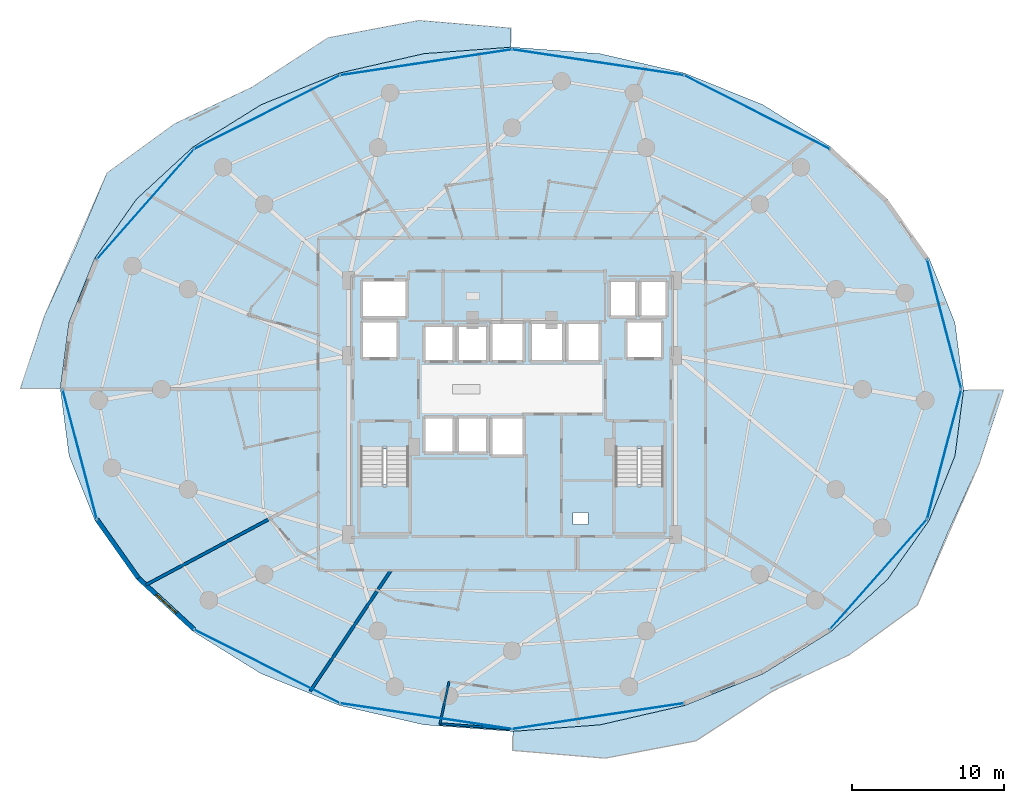
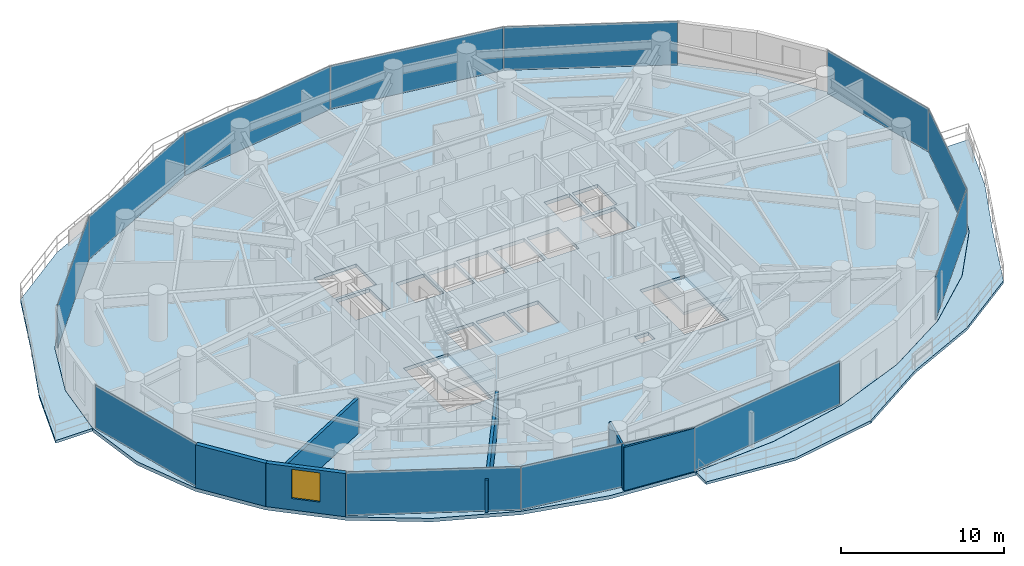
# One storey, part 25 of 34: 12 plates, 6 walls, 5 slabs, 1 window, 1 opening, 6 elements without a shape of their own.
"""IFC4 building model written with IfcOpenShell, lengths in metres."""

from ifc_helpers import new_model, si_unit, direction, frame, frame_2d, origin, origin_2d, place, context, subcontext, project, spatial, polyline, rectangle, outline, extrude, material, layer, layer_set, type_object, element, fill, aggregate, save


model = new_model("IFC4")

# Units and contexts
model_context = context("Model", 3, precision=1e-05, world=origin(), true_north=direction((0.0, 1.0)))
body_context = subcontext(model_context, "Body", "Model", "MODEL_VIEW")
ifc_project = project(units=[si_unit("LENGTHUNIT", "METRE"), si_unit("AREAUNIT", "SQUARE_METRE"), si_unit("VOLUMEUNIT", "CUBIC_METRE"), si_unit("PLANEANGLEUNIT", "RADIAN"), si_unit("MASSUNIT", "GRAM", prefix="KILO")], contexts=[model_context])

# Site, building, storey
site_placement = place(None, origin())
site = spatial("IfcSite", under=ifc_project, at=site_placement, CompositionType="ELEMENT")
building_placement = place(site_placement, origin())
building = spatial("IfcBuilding", under=site, at=building_placement, Name="Vorneva Point Tower", CompositionType="ELEMENT")
storey_placement = place(building_placement, frame((0.0, 0.0, 62.5)))
storey = spatial("IfcBuildingStorey", under=building, at=storey_placement, Name="L16", CompositionType="ELEMENT", Elevation=62.5)

# Curtain wall, plates
ifc_material_1 = material(Name="Pale anodised aluminium", Category="aluminium")
curtain_wall_type = type_object("IfcCurtainWallType", Name="CW-HTL-SYS", PredefinedType="NOTDEFINED", material=ifc_material_1)
curtain_wall_1_placement = place(storey_placement, origin())
curtain_wall_1 = element("IfcCurtainWall", 1, at=curtain_wall_1_placement, inside=storey, type_object=curtain_wall_type, Name="L16 Unitised Curtain Wall CW-L16-R01", PredefinedType="NOTDEFINED")
ifc_material_2 = material(Name="Double low-e laminated glass IGU", Category="glass")
ifc_layer_1 = layer(ifc_material_2, 0.035888671875)
ifc_layer_set_1 = layer_set([ifc_layer_1], Name="Double low-e laminated glass IGU")
plate_type = type_object("IfcPlateType", Name="CW-PNL-VIS", PredefinedType="CURTAIN_PANEL", material=ifc_layer_set_1)
plate_1_placement = place(storey_placement, frame((62.097900390625, 13.821533203125, -0.02001953125), z_axis=(0.0, 0.0, 1.0), x_axis=(0.662070857019, 0.749441245386, 0.0)))
plate_1 = element("IfcPlate", 2, at=plate_1_placement, type_object=plate_type, Name="CW-L16-R01 Glazed Panel 01", PredefinedType="CURTAIN_PANEL", context=body_context, shape_type="SweptSolid", body=[
    extrude(rectangle(XDim=9.625, YDim=0.035888671875, at=origin_2d()), origin(), (0.0, 0.0, 1.0), 3.280029296875),
])
plate_2_placement = place(storey_placement, frame((66.42529296875, 21.723388671875, -0.02001953125), z_axis=(0.0, 0.0, 1.0), x_axis=(0.254348767449, 0.967112560407, 0.0)))
plate_2 = element("IfcPlate", 3, at=plate_2_placement, type_object=plate_type, Name="CW-L16-R01 Glazed Panel 02", PredefinedType="CURTAIN_PANEL", context=body_context, shape_type="SweptSolid", body=[
    extrude(rectangle(XDim=8.793701171875, YDim=0.035888671875, at=origin_2d()), origin(), (0.0, 0.0, 1.0), 3.280029296875),
])
plate_3_placement = place(storey_placement, frame((66.42529296875, 30.276611328125, -0.02001953125), z_axis=(0.0, 0.0, 1.0), x_axis=(-0.254348767449, 0.967112560407, 0.0)))
plate_3 = element("IfcPlate", 4, at=plate_3_placement, type_object=plate_type, Name="CW-L16-R01 Glazed Panel 03", PredefinedType="CURTAIN_PANEL", context=body_context, shape_type="SweptSolid", body=[
    extrude(rectangle(XDim=8.793701171875, YDim=0.035888671875, at=origin_2d()), origin(), (0.0, 0.0, 1.0), 3.280029296875),
])
aggregate(curtain_wall_1, [plate_1, plate_2, plate_3])

curtain_wall_2_placement = place(storey_placement, origin())
curtain_wall_2 = element("IfcCurtainWall", 5, at=curtain_wall_2_placement, inside=storey, type_object=curtain_wall_type, Name="L16 Unitised Curtain Wall CW-L16-R02", PredefinedType="NOTDEFINED")
plate_4_placement = place(storey_placement, frame((54.101806640625, 44.226318359375, -0.02001953125), z_axis=(0.0, 0.0, 1.0), x_axis=(-0.892499239729, 0.451048896554, 0.0)))
plate_4 = element("IfcPlate", 6, at=plate_4_placement, type_object=plate_type, Name="CW-L16-R02 Glazed Panel 01", PredefinedType="CURTAIN_PANEL", context=body_context, shape_type="SweptSolid", body=[
    extrude(rectangle(XDim=10.69140625, YDim=0.035888671875, at=origin_2d()), origin(), (0.0, 0.0, 1.0), 3.280029296875),
])
plate_5_placement = place(storey_placement, frame((43.654296875, 47.499267578125, -0.02001953125), z_axis=(0.0, 0.0, 1.0), x_axis=(-0.988870924381, 0.148775989034, 0.0)))
plate_5 = element("IfcPlate", 7, at=plate_5_placement, type_object=plate_type, Name="CW-L16-R02 Glazed Panel 02", PredefinedType="CURTAIN_PANEL", context=body_context, shape_type="SweptSolid", body=[
    extrude(rectangle(XDim=11.385498046875, YDim=0.035888671875, at=origin_2d()), origin(), (0.0, 0.0, 1.0), 3.280029296875),
])
plate_6_placement = place(storey_placement, frame((32.345703125, 47.499267578125, -0.02001953125), z_axis=(0.0, 0.0, 1.0), x_axis=(-0.988870924381, -0.148775989034, 0.0)))
plate_6 = element("IfcPlate", 8, at=plate_6_placement, type_object=plate_type, Name="CW-L16-R02 Glazed Panel 03", PredefinedType="CURTAIN_PANEL", context=body_context, shape_type="SweptSolid", body=[
    extrude(rectangle(XDim=11.385498046875, YDim=0.035888671875, at=origin_2d()), origin(), (0.0, 0.0, 1.0), 3.280029296875),
])
plate_7_placement = place(storey_placement, frame((21.8984375, 44.226318359375, -0.02001953125), z_axis=(0.0, 0.0, 1.0), x_axis=(-0.892499239729, -0.451048896554, 0.0)))
plate_7 = element("IfcPlate", 9, at=plate_7_placement, type_object=plate_type, Name="CW-L16-R02 Glazed Panel 04", PredefinedType="CURTAIN_PANEL", context=body_context, shape_type="SweptSolid", body=[
    extrude(rectangle(XDim=10.69140625, YDim=0.035888671875, at=origin_2d()), origin(), (0.0, 0.0, 1.0), 3.280029296875),
])
plate_8_placement = place(storey_placement, frame((13.902099609375, 38.178466796875, -0.02001953125), z_axis=(0.0, 0.0, 1.0), x_axis=(-0.662070857019, -0.749441245386, 0.0)))
plate_8 = element("IfcPlate", 10, at=plate_8_placement, type_object=plate_type, Name="CW-L16-R02 Glazed Panel 05", PredefinedType="CURTAIN_PANEL", context=body_context, shape_type="SweptSolid", body=[
    extrude(rectangle(XDim=9.625, YDim=0.035888671875, at=origin_2d()), origin(), (0.0, 0.0, 1.0), 3.280029296875),
])
aggregate(curtain_wall_2, [plate_4, plate_5, plate_6, plate_7, plate_8])

# Curtain wall, plate
curtain_wall_3_placement = place(storey_placement, origin())
curtain_wall_3 = element("IfcCurtainWall", 11, at=curtain_wall_3_placement, inside=storey, type_object=curtain_wall_type, Name="L16 Unitised Curtain Wall CW-L16-R03", PredefinedType="NOTDEFINED")
plate_9_placement = place(storey_placement, frame((9.57470703125, 21.723388671875, -0.02001953125), z_axis=(0.0, 0.0, 1.0), x_axis=(0.254348767449, -0.967112560407, 0.0)))
plate_9 = element("IfcPlate", 12, at=plate_9_placement, type_object=plate_type, Name="CW-L16-R03 Glazed Panel 01", PredefinedType="CURTAIN_PANEL", context=body_context, shape_type="SweptSolid", body=[
    extrude(rectangle(XDim=8.793701171875, YDim=0.035888671875, at=origin_2d()), origin(), (0.0, 0.0, 1.0), 3.280029296875),
])
aggregate(curtain_wall_3, [plate_9])

# Curtain wall, plates
curtain_wall_4_placement = place(storey_placement, origin())
curtain_wall_4 = element("IfcCurtainWall", 13, at=curtain_wall_4_placement, inside=storey, type_object=curtain_wall_type, Name="L16 Unitised Curtain Wall CW-L16-R04", PredefinedType="NOTDEFINED")
plate_10_placement = place(storey_placement, frame((21.8984375, 7.773681640625, -0.02001953125), z_axis=(0.0, 0.0, 1.0), x_axis=(0.892499239729, -0.451048896554, 0.0)))
plate_10 = element("IfcPlate", 14, at=plate_10_placement, type_object=plate_type, Name="CW-L16-R04 Glazed Panel 01", PredefinedType="CURTAIN_PANEL", context=body_context, shape_type="SweptSolid", body=[
    extrude(rectangle(XDim=10.69140625, YDim=0.035888671875, at=origin_2d()), origin(), (0.0, 0.0, 1.0), 3.280029296875),
])
plate_11_placement = place(storey_placement, frame((32.345703125, 4.500732421875, -0.02001953125), z_axis=(0.0, 0.0, 1.0), x_axis=(0.988870924381, -0.148775989034, 0.0)))
plate_11 = element("IfcPlate", 15, at=plate_11_placement, type_object=plate_type, Name="CW-L16-R04 Glazed Panel 02", PredefinedType="CURTAIN_PANEL", context=body_context, shape_type="SweptSolid", body=[
    extrude(rectangle(XDim=11.385498046875, YDim=0.035888671875, at=origin_2d()), origin(), (0.0, 0.0, 1.0), 3.280029296875),
])
plate_12_placement = place(storey_placement, frame((43.654296875, 4.500732421875, -0.02001953125), z_axis=(0.0, 0.0, 1.0), x_axis=(0.988870924381, 0.148775989034, 0.0)))
plate_12 = element("IfcPlate", 16, at=plate_12_placement, type_object=plate_type, Name="CW-L16-R04 Glazed Panel 03", PredefinedType="CURTAIN_PANEL", context=body_context, shape_type="SweptSolid", body=[
    extrude(rectangle(XDim=11.385498046875, YDim=0.035888671875, at=origin_2d()), origin(), (0.0, 0.0, 1.0), 3.280029296875),
])
aggregate(curtain_wall_4, [plate_10, plate_11, plate_12])

# Slabs
ifc_material_3 = material(Name="Concrete B50 (C40/50)", Category="concrete")
ifc_layer_2 = layer(ifc_material_3, 0.199951171875)
ifc_layer_set_2 = layer_set([ifc_layer_2], Name="Concrete B50 (C40/50)")
slab_type_1 = type_object("IfcSlabType", Name="SLB-BAL-200", PredefinedType="FLOOR", material=ifc_layer_set_2)
slab_1_placement = place(storey_placement, frame((0.0, 0.0, -0.199951171875)))
element("IfcSlab", 17, at=slab_1_placement, inside=storey, type_object=slab_type_1, Name="L16 Cantilevered Wave Balcony NW", PredefinedType="FLOOR", context=body_context, shape_type="SweptSolid", body=[
    extrude(outline(polyline([(5.66650390625, 26.050048828125), (8.302490234375, 26.050048828125), (8.86669921875, 30.389892578125), (8.86669921875, 30.390380859375), (8.866943359375, 30.390625), (8.866943359375, 30.39111328125), (10.55712890625, 34.61181640625), (10.557373046875, 34.6123046875), (10.5576171875, 34.61279296875), (13.302001953125, 38.502685546875), (13.302490234375, 38.5029296875), (13.302734375, 38.503173828125), (16.99609375, 41.912841796875), (16.99658203125, 41.9130859375), (16.996826171875, 41.913330078125), (21.49755859375, 44.71142578125), (21.497802734375, 44.711669921875), (21.498046875, 44.7119140625), (26.6328125, 46.791015625), (26.633056640625, 46.791015625), (26.63330078125, 46.791259765625), (32.204833984375, 48.071533203125), (32.205078125, 48.07177734375), (32.20556640625, 48.07177734375), (37.949951171875, 48.500244140625), (37.949951171875, 49.754150390625), (31.875244140625, 50.2607421875), (25.90234375, 49.1201171875), (20.910888671875, 45.870849609375), (15.8212890625, 43.464111328125), (11.35791015625, 40.218017578125), (9.2841796875, 35.308349609375), (7.24365234375, 30.816650390625), (5.66650390625, 26.050048828125)])), origin(), (0.0, 0.0, 1.0), 0.199951171875),
])
slab_2_placement = place(storey_placement, frame((0.0, 0.0, -0.199951171875)))
element("IfcSlab", 18, at=slab_2_placement, inside=storey, type_object=slab_type_1, Name="L16 Cantilevered Wave Balcony SE", PredefinedType="FLOOR", context=body_context, shape_type="SweptSolid", body=[
    extrude(outline(polyline([(68.75634765625, 21.183349609375), (70.33349609375, 25.949951171875), (67.697509765625, 25.949951171875), (67.13330078125, 21.610107421875), (67.13330078125, 21.609619140625), (67.133056640625, 21.609375), (67.133056640625, 21.60888671875), (65.44287109375, 17.38818359375), (65.442626953125, 17.3876953125), (65.4423828125, 17.38720703125), (62.697998046875, 13.497314453125), (62.697509765625, 13.4970703125), (62.697265625, 13.496826171875), (59.00390625, 10.087158203125), (59.00341796875, 10.0869140625), (59.003173828125, 10.086669921875), (54.50244140625, 7.28857421875), (54.502197265625, 7.288330078125), (54.501953125, 7.2880859375), (49.3671875, 5.208984375), (49.366943359375, 5.208984375), (49.36669921875, 5.208740234375), (43.795166015625, 3.928466796875), (43.794921875, 3.92822265625), (43.79443359375, 3.92822265625), (38.050048828125, 3.499755859375), (38.050048828125, 2.245849609375), (44.124755859375, 1.7392578125), (50.09765625, 2.8798828125), (55.089111328125, 6.129150390625), (60.1787109375, 8.535888671875), (64.64208984375, 11.781982421875), (66.7158203125, 16.691650390625), (68.75634765625, 21.183349609375)])), origin(), (0.0, 0.0, 1.0), 0.199951171875),
])

# Stair, slab
stair_type = type_object("IfcStairType", Name="ST-DOG-1500", PredefinedType="HALF_TURN_STAIR", material=ifc_material_3)
stair_1_placement = place(storey_placement, origin())
stair_1 = element("IfcStair", 19, at=stair_1_placement, inside=storey, type_object=stair_type, Name="L16 ST1", PredefinedType="HALF_TURN_STAIR")
ifc_layer_3 = layer(ifc_material_3, 0.199951171875)
ifc_layer_set_3 = layer_set([ifc_layer_3], Name="Concrete B50 (C40/50)")
slab_type_2 = type_object("IfcSlabType", Name="SLB-LND-200", PredefinedType="LANDING", material=ifc_layer_set_3)
slab_3_placement = place(storey_placement, frame((0.0, 0.0, 1.550048828125)))
slab_3 = element("IfcSlab", 20, at=slab_3_placement, type_object=slab_type_2, Name="ST1 landing 1", PredefinedType="LANDING", context=body_context, shape_type="SweptSolid", body=[
    extrude(outline(polyline([(27.929931640625, 16.47998046875), (31.320068359375, 16.47998046875), (31.320068359375, 19.72998046875), (27.929931640625, 19.72998046875), (27.929931640625, 16.47998046875)])), origin(), (0.0, 0.0, 1.0), 0.199951171875),
])
aggregate(stair_1, [slab_3])

stair_2_placement = place(storey_placement, origin())
stair_2 = element("IfcStair", 21, at=stair_2_placement, inside=storey, type_object=stair_type, Name="L16 ST2", PredefinedType="HALF_TURN_STAIR")
slab_4_placement = place(storey_placement, frame((0.0, 0.0, 1.550048828125)))
slab_4 = element("IfcSlab", 22, at=slab_4_placement, type_object=slab_type_2, Name="ST2 landing 1", PredefinedType="LANDING", context=body_context, shape_type="SweptSolid", body=[
    extrude(outline(polyline([(44.679931640625, 16.47998046875), (48.070068359375, 16.47998046875), (48.070068359375, 19.72998046875), (44.679931640625, 19.72998046875), (44.679931640625, 16.47998046875)])), origin(), (0.0, 0.0, 1.0), 0.199951171875),
])
aggregate(stair_2, [slab_4])

# Slab
ifc_layer_4 = layer(ifc_material_3, 0.260009765625)
ifc_layer_set_4 = layer_set([ifc_layer_4], Name="Concrete B50 (C40/50)")
slab_type_3 = type_object("IfcSlabType", Name="SLB-TYP-260", PredefinedType="FLOOR", material=ifc_layer_set_4)
slab_5_placement = place(storey_placement, frame((0.0, 0.0, -0.260009765625)))
element("IfcSlab", 23, at=slab_5_placement, inside=storey, type_object=slab_type_3, Name="L16 Structural Floor Plate", PredefinedType="FLOOR", context=body_context, shape_type="SweptSolid", body=[
    extrude(outline(polyline([(67.699951171875, 26.0), (67.12939453125, 30.389404296875), (65.439208984375, 34.6103515625), (62.694580078125, 38.500244140625), (59.001220703125, 41.909912109375), (54.50048828125, 44.7080078125), (49.36572265625, 46.787353515625), (43.794189453125, 48.067626953125), (38.0, 48.5), (32.205810546875, 48.067626953125), (26.63427734375, 46.787353515625), (21.49951171875, 44.7080078125), (16.998779296875, 41.909912109375), (13.305419921875, 38.500244140625), (10.560791015625, 34.6103515625), (8.87060546875, 30.389404296875), (8.300048828125, 26.0), (8.87060546875, 21.610595703125), (10.560791015625, 17.3896484375), (13.305419921875, 13.499755859375), (16.998779296875, 10.090087890625), (21.49951171875, 7.2919921875), (26.63427734375, 5.212646484375), (32.205810546875, 3.932373046875), (38.0, 3.5), (43.794189453125, 3.932373046875), (49.36572265625, 5.212646484375), (54.50048828125, 7.2919921875), (59.001220703125, 10.090087890625), (62.694580078125, 13.499755859375), (65.439208984375, 17.3896484375), (67.12939453125, 21.610595703125), (67.699951171875, 26.0)]), holes=[polyline([(32.199951171875, 27.800048828125), (34.199951171875, 27.800048828125), (34.199951171875, 30.199951171875), (32.199951171875, 30.199951171875), (32.199951171875, 27.800048828125)]), polyline([(34.39990234375, 27.800048828125), (36.39990234375, 27.800048828125), (36.39990234375, 30.199951171875), (34.39990234375, 30.199951171875), (34.39990234375, 27.800048828125)]), polyline([(36.60009765625, 27.800048828125), (38.800048828125, 27.800048828125), (38.800048828125, 30.39990234375), (36.60009765625, 30.39990234375), (36.60009765625, 27.800048828125)]), polyline([(32.199951171875, 21.800048828125), (34.199951171875, 21.800048828125), (34.199951171875, 24.199951171875), (32.199951171875, 24.199951171875), (32.199951171875, 21.800048828125)]), polyline([(34.39990234375, 21.800048828125), (36.39990234375, 21.800048828125), (36.39990234375, 24.199951171875), (34.39990234375, 24.199951171875), (34.39990234375, 21.800048828125)]), polyline([(36.60009765625, 21.60009765625), (38.800048828125, 21.60009765625), (38.800048828125, 24.199951171875), (36.60009765625, 24.199951171875), (36.60009765625, 21.60009765625)]), polyline([(39.199951171875, 27.800048828125), (41.39990234375, 27.800048828125), (41.39990234375, 30.39990234375), (39.199951171875, 30.39990234375), (39.199951171875, 27.800048828125)]), polyline([(41.60009765625, 27.800048828125), (43.800048828125, 27.800048828125), (43.800048828125, 30.39990234375), (41.60009765625, 30.39990234375), (41.60009765625, 27.800048828125)]), polyline([(44.39990234375, 30.739990234375), (46.199951171875, 30.739990234375), (46.199951171875, 33.159912109375), (44.39990234375, 33.159912109375), (44.39990234375, 30.739990234375)]), polyline([(46.39990234375, 30.739990234375), (48.199951171875, 30.739990234375), (48.199951171875, 33.159912109375), (46.39990234375, 33.159912109375), (46.39990234375, 30.739990234375)]), polyline([(28.10009765625, 28.0), (30.5, 28.0), (30.5, 30.5), (28.10009765625, 30.5), (28.10009765625, 28.0)]), polyline([(45.5, 28.0), (47.89990234375, 28.0), (47.89990234375, 30.5), (45.5, 30.5), (45.5, 28.0)]), polyline([(28.10009765625, 30.699951171875), (31.10009765625, 30.699951171875), (31.10009765625, 33.199951171875), (28.10009765625, 33.199951171875), (28.10009765625, 30.699951171875)]), polyline([(28.050048828125, 16.60009765625), (31.199951171875, 16.60009765625), (31.199951171875, 22.080078125), (28.050048828125, 22.080078125), (28.050048828125, 16.60009765625)]), polyline([(44.800048828125, 16.60009765625), (47.949951171875, 16.60009765625), (47.949951171875, 22.080078125), (44.800048828125, 22.080078125), (44.800048828125, 16.60009765625)]), polyline([(42.0, 17.10009765625), (43.0, 17.10009765625), (43.0, 17.89990234375), (42.0, 17.89990234375), (42.0, 17.10009765625)])]), origin(), (0.0, 0.0, 1.0), 0.260009765625),
])

# Wall
ifc_material_4 = material(Name="Precast concrete B50 (C40/50)", Category="concrete")
ifc_layer_5 = layer(ifc_material_4, 0.300048828125)
ifc_layer_set_5 = layer_set([ifc_layer_5], Name="Precast concrete B50 (C40/50)")
wall_type_1 = type_object("IfcWallType", Name="WL-EXT-300", PredefinedType="STANDARD", material=ifc_layer_set_5)
wall_1_placement = place(storey_placement, frame((10.699462890625, 17.447021484375, 0.0), z_axis=(0.0, 0.0, 1.0), x_axis=(0.577130815624, -0.816651713803, 0.0)))
element("IfcWall", 24, at=wall_1_placement, inside=storey, type_object=wall_type_1, Name="L16 Pale-Metal Facade Spandrel Wall 10.1", PredefinedType="STANDARD", context=body_context, shape_type="SweptSolid", body=[
    extrude(rectangle(XDim=4.7314453125, YDim=0.300048828125, at=frame_2d((2.36572265625, 0.0))), origin(), (0.0, 0.0, 1.0), 3.239990234375),
])

# Wall, opening, window
wall_2_placement = place(storey_placement, frame((13.43017578125, 13.5830078125, 0.0), z_axis=(0.0, 0.0, 1.0), x_axis=(0.735342629635, -0.677695519419, 0.0)))
wall_2 = element("IfcWall", 25, at=wall_2_placement, inside=storey, type_object=wall_type_1, Name="L16 Pale-Metal Facade Spandrel Wall 10.2", PredefinedType="STANDARD", context=body_context, shape_type="SweptSolid", body=[
    extrude(rectangle(XDim=4.997314453125, YDim=0.300048828125, at=frame_2d((2.49853515625, 0.0))), origin(), (0.0, 0.0, 1.0), 3.239990234375),
])
opening_placement = place(wall_2_placement, frame((1.598876953125, 0.0, 0.85009765625)))
opening = element("IfcOpeningElement", 26, at=opening_placement, cuts=wall_2, Name="Opening W-01", PredefinedType="OPENING", context=body_context, shape_type="SweptSolid", body=[
    extrude(rectangle(XDim=1.800048828125, YDim=2.18994140625, at=frame_2d((0.89990234375, 1.094970703125))), frame((0.0, 0.1650390625, 0.0), z_axis=(0.0, -1.0, 0.0), x_axis=(1.0, 0.0, 0.0)), (0.0, 0.0, 1.0), 0.329833984375),
])
window_type = type_object("IfcWindowType", Name="WN-LOG-1800", PartitioningType="SINGLE_PANEL", PredefinedType="WINDOW", material=ifc_material_2)
window_placement = place(opening_placement, origin())
window = element("IfcWindow", 27, at=window_placement, inside=storey, type_object=window_type, Name="L16 Facade Window 10", OverallHeight=2.18994140625, OverallWidth=1.800048828125, PartitioningType="SINGLE_PANEL", PredefinedType="WINDOW", context=body_context, shape_type="SweptSolid", body=[
    extrude(rectangle(XDim=1.800048828125, YDim=2.18994140625, at=frame_2d((0.89990234375, 1.094970703125))), frame((0.0, 0.030029296875, 0.0), z_axis=(0.0, -1.0, 0.0), x_axis=(1.0, 0.0, 0.0)), (0.0, 0.0, 1.0), 0.06005859375),
])
fill(opening, window)

# Walls
ifc_material_5 = material(Name="Fire-rated acoustic gypsum stud partition", Category="gypsum")
ifc_layer_6 = layer(ifc_material_5, 0.139892578125)
ifc_layer_set_6 = layer_set([ifc_layer_6], Name="Fire-rated acoustic gypsum stud partition")
wall_type_2 = type_object("IfcWallType", Name="WL-PART-140", PredefinedType="PARTITIONING", material=ifc_layer_set_6)
wall_3_placement = place(storey_placement, frame((33.263916015625, 4.00390625, 0.0), z_axis=(0.0, 0.0, 1.0), x_axis=(0.210697687201, 0.977551269555, 0.0)))
element("IfcWall", 28, at=wall_3_placement, inside=storey, type_object=wall_type_2, Name="L16 Interior Partition 085", PredefinedType="PARTITIONING", context=body_context, shape_type="SweptSolid", body=[
    extrude(rectangle(XDim=2.8388671875, YDim=0.139892578125, at=frame_2d((1.41943359375, 0.0))), origin(), (0.0, 0.0, 1.0), 3.239990234375),
])
wall_4_placement = place(storey_placement, frame((33.2041015625, 4.008056640625, 0.0), z_axis=(0.0, 0.0, 1.0), x_axis=(0.99722311136, -0.074471915311, 0.0)))
element("IfcWall", 29, at=wall_4_placement, inside=storey, type_object=wall_type_2, Name="L16 Interior Partition 088", PredefinedType="PARTITIONING", context=body_context, shape_type="SweptSolid", body=[
    extrude(rectangle(XDim=4.809326171875, YDim=0.139892578125, at=frame_2d((2.40478515625, 0.0))), origin(), (0.0, 0.0, 1.0), 3.239990234375),
])
ifc_material_6 = material(Name="Autoclaved aerated concrete blockwork", Category="masonry")
ifc_layer_7 = layer(ifc_material_6, 0.199951171875)
ifc_layer_set_7 = layer_set([ifc_layer_7], Name="Autoclaved aerated concrete blockwork")
wall_type_3 = type_object("IfcWallType", Name="WL-PART-200", PredefinedType="PARTITIONING", material=ifc_layer_set_7)
wall_5_placement = place(storey_placement, frame((13.925048828125, 13.132080078125, 0.0), z_axis=(0.0, 0.0, 1.0), x_axis=(0.881931293807, 0.471377972548, 0.0)))
element("IfcWall", 30, at=wall_5_placement, inside=storey, type_object=wall_type_3, Name="L16 Interior Partition 077", PredefinedType="PARTITIONING", context=body_context, shape_type="SweptSolid", body=[
    extrude(rectangle(XDim=9.336181640625, YDim=0.199951171875, at=frame_2d((4.66796875, 0.0))), origin(), (0.0, 0.0, 1.0), 2.6240234375),
])
wall_6_placement = place(storey_placement, frame((24.73291015625, 6.14404296875, 0.0), z_axis=(0.0, 0.0, 1.0), x_axis=(0.555577192504, 0.831464962082, 0.0)))
element("IfcWall", 31, at=wall_6_placement, inside=storey, type_object=wall_type_3, Name="L16 Interior Partition 081", PredefinedType="PARTITIONING", context=body_context, shape_type="SweptSolid", body=[
    extrude(rectangle(XDim=9.568603515625, YDim=0.199951171875, at=frame_2d((4.7841796875, 0.0))), origin(), (0.0, 0.0, 1.0), 2.431884765625),
])

save(model, "model.ifc")
